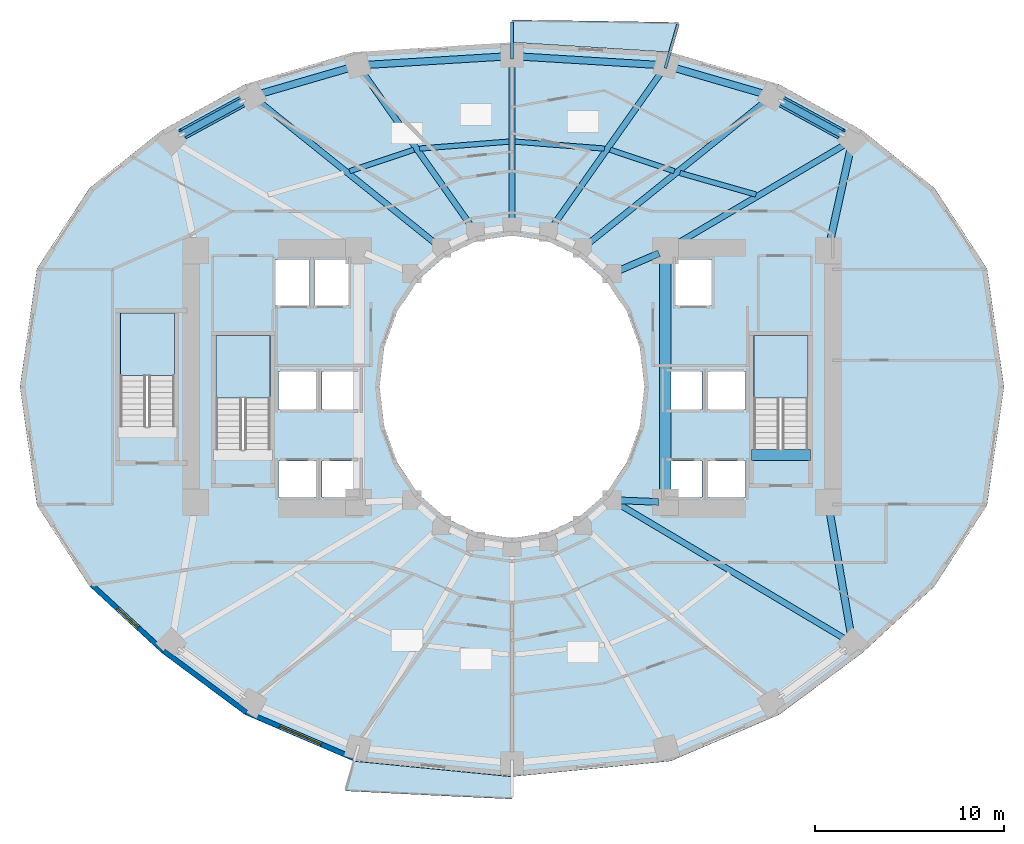
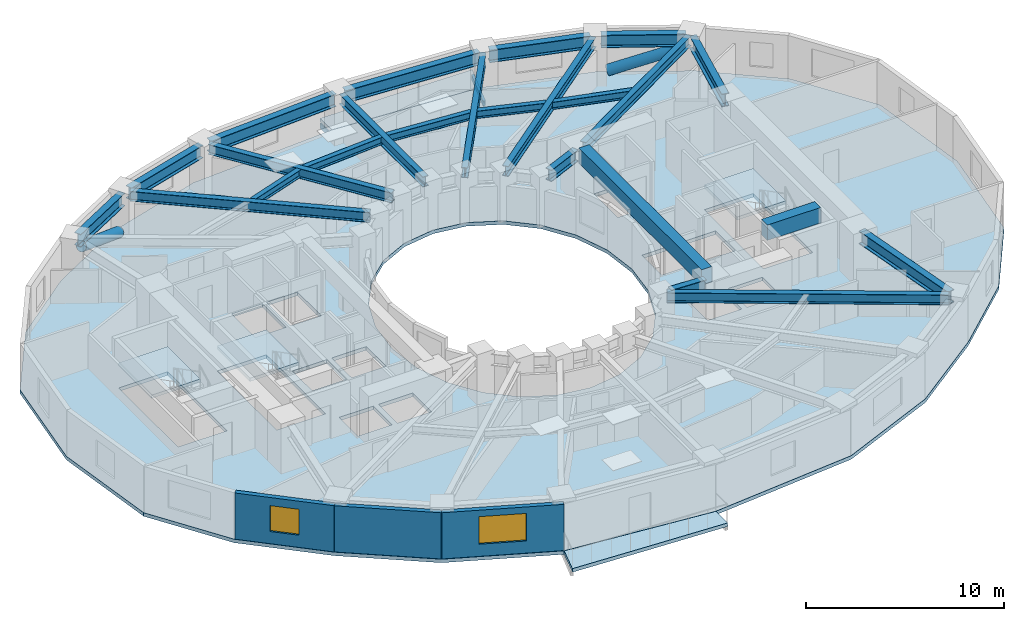
# One storey, part 2 of 10: 26 beams, 6 slabs, 3 walls, 2 members, 2 windows, 2 openings, 3 elements without a shape of their own.
"""IFC4 building model written with IfcOpenShell, lengths in metres."""

from ifc_helpers import new_model, si_unit, direction, frame, frame_2d, origin, origin_2d, place, context, subcontext, project, spatial, polyline, rectangle, hollow_rectangle, hollow_circle, i_section, outline, extrude, material, layer, layer_set, material_profile, profile_set, type_object, element, fill, aggregate, save


model = new_model("IFC4")

# Units and contexts
model_context = context("Model", 3, precision=1e-05, world=origin(), true_north=direction((0.0, 1.0)))
body_context = subcontext(model_context, "Body", "Model", "MODEL_VIEW")
ifc_project = project(units=[si_unit("LENGTHUNIT", "METRE"), si_unit("AREAUNIT", "SQUARE_METRE"), si_unit("VOLUMEUNIT", "CUBIC_METRE"), si_unit("PLANEANGLEUNIT", "RADIAN"), si_unit("MASSUNIT", "GRAM", prefix="KILO")], contexts=[model_context])

# Site, building, storey
site_placement = place(None, origin())
site = spatial("IfcSite", under=ifc_project, at=site_placement, CompositionType="ELEMENT")
building_placement = place(site_placement, origin())
building = spatial("IfcBuilding", under=site, at=building_placement, Name="Solvane Sanctuary Tower", CompositionType="ELEMENT")
storey_placement = place(building_placement, frame((0.0, 0.0, 58.60009765625)))
storey = spatial("IfcBuildingStorey", under=building, at=storey_placement, Name="L17", CompositionType="ELEMENT", Elevation=58.60009765625)

# Beams
ifc_material_1 = material(Name="Steel ASTM A500 Grade C", Category="steel")
ifc_material_profile_1 = material_profile(ifc_material_1, hollow_rectangle(XDim=0.14990234375, YDim=0.300048828125, WallThickness=0.010009765625, at=origin_2d()), Name="HSS300X150X10")
ifc_profile_set_1 = profile_set([ifc_material_profile_1], Name="Steel ASTM A500 Grade C")
beam_type_1 = type_object("IfcBeamType", Name="Beam B-BALC-BRK HSS300X150X10", PredefinedType="BEAM", material=ifc_profile_set_1)
beam_1_placement = place(storey_placement, frame((40.103515625, 39.84130859375, -0.3720703125), z_axis=(0.276710107222, 0.960953441412, 0.0), x_axis=(-0.960953441412, 0.276710107222, 0.0)))
element("IfcBeam", 1, at=beam_1_placement, inside=storey, type_object=beam_type_1, Name="L17 Balcony Bracket NC-1", PredefinedType="BEAM", context=body_context, shape_type="SweptSolid", body=[
    extrude(hollow_rectangle(XDim=0.14990234375, YDim=0.300048828125, WallThickness=0.010009765625, at=origin_2d()), origin(), (0.0, 0.0, 1.0), 2.414794921875),
])
beam_2_placement = place(storey_placement, frame((32.0, 40.330078125, -0.3720703125), z_axis=(0.0, 1.0, 0.0), x_axis=(-1.0, 0.0, 0.0)))
element("IfcBeam", 2, at=beam_2_placement, inside=storey, type_object=beam_type_1, Name="L17 Balcony Bracket NC-2", PredefinedType="BEAM", context=body_context, shape_type="SweptSolid", body=[
    extrude(hollow_rectangle(XDim=0.14990234375, YDim=0.300048828125, WallThickness=0.010009765625, at=origin_2d()), origin(), (0.0, 0.0, 1.0), 1.955322265625),
])
ifc_material_2 = material(Name="Concrete C70/85", Category="concrete")
ifc_material_profile_2 = material_profile(ifc_material_2, rectangle(XDim=0.60009765625, YDim=0.949951171875, at=origin_2d()), Name="RC600X950")
ifc_profile_set_2 = profile_set([ifc_material_profile_2], Name="Concrete C70/85")
beam_type_2 = type_object("IfcBeamType", Name="Beam B-COUPLE RC600X950", PredefinedType="LINTEL", material=ifc_profile_set_2)
beam_3_placement = place(storey_placement, frame((40.10009765625, 17.35009765625, 2.625), z_axis=(0.0, 1.0, 0.0), x_axis=(-1.0, 0.0, 0.0)))
element("IfcBeam", 3, at=beam_3_placement, inside=storey, type_object=beam_type_2, Name="L17 East Core Coupling Lintel", PredefinedType="LINTEL", context=body_context, shape_type="SweptSolid", body=[
    extrude(rectangle(XDim=0.60009765625, YDim=0.949951171875, at=origin_2d()), origin(), (0.0, 0.0, 1.0), 12.39990234375),
])
beam_4_placement = place(storey_placement, frame((44.64990234375, 19.399169921875, 2.625), z_axis=(1.0, 0.0, 0.0), x_axis=(0.0, 1.0, 0.0)))
element("IfcBeam", 4, at=beam_4_placement, inside=storey, type_object=beam_type_2, Name="L17 ST-2 Stair Floor Landing Trimmer", PredefinedType="LINTEL", context=body_context, shape_type="SweptSolid", body=[
    extrude(rectangle(XDim=0.60009765625, YDim=0.949951171875, at=origin_2d()), origin(), (0.0, 0.0, 1.0), 3.1201171875),
])
ifc_material_3 = material(Name="Steel ASTM A992 Grade 50", Category="steel")
ifc_material_profile_3 = material_profile(ifc_material_3, i_section(OverallWidth=0.323974609375, OverallDepth=0.611083984375, WebThickness=0.0126953125, FlangeThickness=0.01904296875, FilletRadius=0.01611328125, at=origin_2d()), Name="W24X104")
ifc_profile_set_3 = profile_set([ifc_material_profile_3], Name="Steel ASTM A992 Grade 50")
beam_type_3 = type_object("IfcBeamType", Name="Beam B-RAD-Z1 W24X104", PredefinedType="BEAM", material=ifc_profile_set_3)
beam_5_placement = place(storey_placement, frame((40.41015625, 30.3828125, 2.572509765625), z_axis=(0.861291129905, 0.508111788435, 0.0), x_axis=(-0.508111788435, 0.861291129905, 0.0)))
element("IfcBeam", 5, at=beam_5_placement, inside=storey, type_object=beam_type_3, Name="L17 Radial Composite Floor Beam 01", PredefinedType="BEAM", context=body_context, shape_type="SweptSolid", body=[
    extrude(i_section(OverallWidth=0.323974609375, OverallDepth=0.611083984375, WebThickness=0.0126953125, FlangeThickness=0.01904296875, FilletRadius=0.01611328125, at=origin_2d()), origin(), (0.0, 0.0, 1.0), 10.844482421875),
])
beam_6_placement = place(storey_placement, frame((35.9482421875, 30.501953125, 2.572509765625), z_axis=(0.779526985436, 0.626368644631, 0.0), x_axis=(-0.626368644631, 0.779526985436, 0.0)))
element("IfcBeam", 6, at=beam_6_placement, inside=storey, type_object=beam_type_3, Name="L17 Radial Composite Floor Beam 02", PredefinedType="BEAM", context=body_context, shape_type="SweptSolid", body=[
    extrude(i_section(OverallWidth=0.323974609375, OverallDepth=0.611083984375, WebThickness=0.0126953125, FlangeThickness=0.01904296875, FilletRadius=0.01611328125, at=origin_2d()), origin(), (0.0, 0.0, 1.0), 12.2646484375),
])
beam_7_placement = place(storey_placement, frame((34.092041015625, 31.400390625, 2.572509765625), z_axis=(0.576233115666, 0.817285382476, 0.0), x_axis=(-0.817285382476, 0.576233115666, 0.0)))
element("IfcBeam", 7, at=beam_7_placement, inside=storey, type_object=beam_type_3, Name="L17 Radial Composite Floor Beam 03", PredefinedType="BEAM", context=body_context, shape_type="SweptSolid", body=[
    extrude(i_section(OverallWidth=0.323974609375, OverallDepth=0.611083984375, WebThickness=0.0126953125, FlangeThickness=0.01904296875, FilletRadius=0.01611328125, at=origin_2d()), origin(), (0.0, 0.0, 1.0), 10.224365234375),
])
beam_8_placement = place(storey_placement, frame((32.0, 31.739990234375, 2.572509765625), z_axis=(0.0, 1.0, 0.0), x_axis=(-1.0, 0.0, 0.0)))
element("IfcBeam", 8, at=beam_8_placement, inside=storey, type_object=beam_type_3, Name="L17 Radial Composite Floor Beam 04", PredefinedType="BEAM", context=body_context, shape_type="SweptSolid", body=[
    extrude(i_section(OverallWidth=0.323974609375, OverallDepth=0.611083984375, WebThickness=0.0126953125, FlangeThickness=0.01904296875, FilletRadius=0.01611328125, at=origin_2d()), origin(), (0.0, 0.0, 1.0), 8.4599609375),
])
beam_9_placement = place(storey_placement, frame((29.907958984375, 31.400390625, 2.572509765625), z_axis=(-0.576233115666, 0.817285382476, 0.0), x_axis=(-0.817285382476, -0.576233115666, 0.0)))
element("IfcBeam", 9, at=beam_9_placement, inside=storey, type_object=beam_type_3, Name="L17 Radial Composite Floor Beam 05", PredefinedType="BEAM", context=body_context, shape_type="SweptSolid", body=[
    extrude(i_section(OverallWidth=0.323974609375, OverallDepth=0.611083984375, WebThickness=0.0126953125, FlangeThickness=0.01904296875, FilletRadius=0.01611328125, at=origin_2d()), origin(), (0.0, 0.0, 1.0), 10.224365234375),
])
beam_10_placement = place(storey_placement, frame((28.0517578125, 30.501953125, 2.572509765625), z_axis=(-0.779526985436, 0.626368644631, 0.0), x_axis=(-0.626368644631, -0.779526985436, 0.0)))
element("IfcBeam", 10, at=beam_10_placement, inside=storey, type_object=beam_type_3, Name="L17 Radial Composite Floor Beam 06", PredefinedType="BEAM", context=body_context, shape_type="SweptSolid", body=[
    extrude(i_section(OverallWidth=0.323974609375, OverallDepth=0.611083984375, WebThickness=0.0126953125, FlangeThickness=0.01904296875, FilletRadius=0.01611328125, at=origin_2d()), origin(), (0.0, 0.0, 1.0), 12.2646484375),
])
beam_11_placement = place(storey_placement, frame((37.515625, 16.874755859375, 2.572509765625), z_axis=(0.859229187027, -0.511590856214, 0.0), x_axis=(0.511590856214, 0.859229187027, 0.0)))
element("IfcBeam", 11, at=beam_11_placement, inside=storey, type_object=beam_type_3, Name="L17 Radial Composite Floor Beam 14", PredefinedType="BEAM", context=body_context, shape_type="SweptSolid", body=[
    extrude(i_section(OverallWidth=0.323974609375, OverallDepth=0.611083984375, WebThickness=0.0126953125, FlangeThickness=0.01904296875, FilletRadius=0.01611328125, at=origin_2d()), origin(), (0.0, 0.0, 1.0), 14.240234375),
])
ifc_material_profile_4 = material_profile(ifc_material_3, i_section(OverallWidth=0.35498046875, OverallDepth=0.695068359375, WebThickness=0.015380859375, FlangeThickness=0.02490234375, FilletRadius=0.01806640625, at=origin_2d()), Name="W27X146")
ifc_profile_set_4 = profile_set([ifc_material_profile_4], Name="Steel ASTM A992 Grade 50")
beam_type_4 = type_object("IfcBeamType", Name="Beam B-RING-IN1 W27X146", PredefinedType="BEAM", material=ifc_profile_set_4)
beam_12_placement = place(storey_placement, frame((37.70654296875, 29.168212890625, 2.530517578125), z_axis=(0.918277080365, 0.395938383687, 0.0), x_axis=(-0.395938383687, 0.918277080365, 0.0)))
element("IfcBeam", 12, at=beam_12_placement, inside=storey, type_object=beam_type_4, Name="L17 Inner Light-Well Ring Beam IC01-CE4", PredefinedType="BEAM", context=body_context, shape_type="SweptSolid", body=[
    extrude(i_section(OverallWidth=0.35498046875, OverallDepth=0.695068359375, WebThickness=0.015380859375, FlangeThickness=0.02490234375, FilletRadius=0.01806640625, at=origin_2d()), origin(), (0.0, 0.0, 1.0), 2.246337890625),
])
beam_13_placement = place(storey_placement, frame((37.74462890625, 16.998291015625, 2.530517578125), z_axis=(0.999130953379, -0.041681386726, 0.0), x_axis=(0.041681386726, 0.999130953379, 0.0)))
element("IfcBeam", 13, at=beam_13_placement, inside=storey, type_object=beam_type_4, Name="L17 Inner Light-Well Ring Beam IC14-CE1", PredefinedType="BEAM", context=body_context, shape_type="SweptSolid", body=[
    extrude(i_section(OverallWidth=0.35498046875, OverallDepth=0.695068359375, WebThickness=0.015380859375, FlangeThickness=0.02490234375, FilletRadius=0.01806640625, at=origin_2d()), origin(), (0.0, 0.0, 1.0), 1.997314453125),
])
ifc_material_profile_5 = material_profile(ifc_material_3, i_section(OverallWidth=0.280029296875, OverallDepth=0.462890625, WebThickness=0.0107421875, FlangeThickness=0.017333984375, FilletRadius=0.013916015625, at=origin_2d()), Name="W18X76")
ifc_profile_set_5 = profile_set([ifc_material_profile_5], Name="Steel ASTM A992 Grade 50")
beam_type_5 = type_object("IfcBeamType", Name="Beam B-SEC-JOIST W18X76", PredefinedType="JOIST", material=ifc_profile_set_5)
beam_14_placement = place(storey_placement, frame((23.42041015625, 34.392822265625, 2.646484375), z_axis=(0.948259393162, 0.317496650816, 0.0), x_axis=(-0.317496650816, 0.948259393162, 0.0)))
element("IfcBeam", 14, at=beam_14_placement, inside=storey, type_object=beam_type_5, Name="L17 Secondary Circumferential Joist 06-05", PredefinedType="JOIST", context=body_context, shape_type="SweptSolid", body=[
    extrude(i_section(OverallWidth=0.280029296875, OverallDepth=0.462890625, WebThickness=0.0107421875, FlangeThickness=0.017333984375, FilletRadius=0.013916015625, at=origin_2d()), origin(), (0.0, 0.0, 1.0), 3.577880859375),
])
for number, where, z_axis, x_axis, name in (
    (15, (27.11865234375, 35.5908203125, 2.646484375), (0.996997851194, 0.077429223911, 0.0), (-0.077429223911, 0.996997851194, 0.0), "L17 Secondary Circumferential Joist 05-04"),
    (16, (32.156494140625, 35.957763671875, 2.646484375), (0.996997851194, -0.077429223911, 0.0), (0.077429223911, 0.996997851194, 0.0), "L17 Secondary Circumferential Joist 04-03"),
):
    element("IfcBeam", number, at=place(storey_placement, frame(where, z_axis=z_axis, x_axis=x_axis)), inside=storey, type_object=beam_type_5, Name=name, PredefinedType="JOIST", context=body_context, shape_type="SweptSolid", body=[
        extrude(i_section(OverallWidth=0.280029296875, OverallDepth=0.462890625, WebThickness=0.0107421875, FlangeThickness=0.017333984375, FilletRadius=0.013916015625, at=origin_2d()), origin(), (0.0, 0.0, 1.0), 4.739013671875),
    ])
beam_15_placement = place(storey_placement, frame((37.186767578125, 35.52880859375, 2.646484375), z_axis=(0.948259393162, -0.317496650816, 0.0), x_axis=(0.317496650816, 0.948259393162, 0.0)))
element("IfcBeam", 17, at=beam_15_placement, inside=storey, type_object=beam_type_5, Name="L17 Secondary Circumferential Joist 03-02", PredefinedType="JOIST", context=body_context, shape_type="SweptSolid", body=[
    extrude(i_section(OverallWidth=0.280029296875, OverallDepth=0.462890625, WebThickness=0.0107421875, FlangeThickness=0.017333984375, FilletRadius=0.013916015625, at=origin_2d()), origin(), (0.0, 0.0, 1.0), 3.577880859375),
])
beam_16_placement = place(storey_placement, frame((40.879638671875, 34.300048828125, 2.646484375), z_axis=(0.962003645121, -0.273036603358, 0.0), x_axis=(0.273036603358, 0.962003645121, 0.0)))
element("IfcBeam", 18, at=beam_16_placement, inside=storey, type_object=beam_type_5, Name="L17 Secondary Circumferential Joist 02-01", PredefinedType="JOIST", context=body_context, shape_type="SweptSolid", body=[
    extrude(i_section(OverallWidth=0.280029296875, OverallDepth=0.462890625, WebThickness=0.0107421875, FlangeThickness=0.017333984375, FilletRadius=0.013916015625, at=origin_2d()), origin(), (0.0, 0.0, 1.0), 4.174072265625),
])
ifc_material_profile_6 = material_profile(ifc_material_3, i_section(OverallWidth=0.382080078125, OverallDepth=0.779052734375, WebThickness=0.01806640625, FlangeThickness=0.030029296875, FilletRadius=0.02001953125, at=origin_2d()), Name="W30X191")
ifc_profile_set_6 = profile_set([ifc_material_profile_6], Name="Steel ASTM A992 Grade 50")
beam_type_6 = type_object("IfcBeamType", Name="Beam B-SPAND-Z1 W30X191", PredefinedType="SPANDREL", material=ifc_profile_set_6)
beam_17_placement = place(storey_placement, frame((14.254150390625, 36.169189453125, 2.48828125), z_axis=(0.878060556078, 0.478549537519, 0.0), x_axis=(-0.478549537519, 0.878060556078, 0.0)))
element("IfcBeam", 19, at=beam_17_placement, inside=storey, type_object=beam_type_6, Name="L17 Perimeter Spandrel Beam TC07-TC06", PredefinedType="SPANDREL", context=body_context, shape_type="SweptSolid", body=[
    extrude(i_section(OverallWidth=0.382080078125, OverallDepth=0.779052734375, WebThickness=0.01806640625, FlangeThickness=0.030029296875, FilletRadius=0.02001953125, at=origin_2d()), origin(), (0.0, 0.0, 1.0), 4.296630859375),
])
beam_18_placement = place(storey_placement, frame((18.54150390625, 38.437744140625, 2.48828125), z_axis=(0.960096217722, 0.279669899553, 0.0), x_axis=(-0.279669899553, 0.960096217722, 0.0)))
element("IfcBeam", 20, at=beam_18_placement, inside=storey, type_object=beam_type_6, Name="L17 Perimeter Spandrel Beam TC06-TC05", PredefinedType="SPANDREL", context=body_context, shape_type="SweptSolid", body=[
    extrude(i_section(OverallWidth=0.382080078125, OverallDepth=0.779052734375, WebThickness=0.01806640625, FlangeThickness=0.030029296875, FilletRadius=0.02001953125, at=origin_2d()), origin(), (0.0, 0.0, 1.0), 5.25439453125),
])
for number, where, z_axis, x_axis, name in (
    (21, (24.134521484375, 40.00244140625, 2.48828125), (0.998162966989, 0.060586230553, 0.0), (-0.060586230553, 0.998162966989, 0.0), "L17 Perimeter Spandrel Beam TC05-TC04"),
    (22, (32.279541015625, 40.462890625, 2.48828125), (0.998162966989, -0.060586230553, 0.0), (0.060586230553, 0.998162966989, 0.0), "L17 Perimeter Spandrel Beam TC04-TC03"),
):
    element("IfcBeam", number, at=place(storey_placement, frame(where, z_axis=z_axis, x_axis=x_axis)), inside=storey, type_object=beam_type_6, Name=name, PredefinedType="SPANDREL", context=body_context, shape_type="SweptSolid", body=[
        extrude(i_section(OverallWidth=0.382080078125, OverallDepth=0.779052734375, WebThickness=0.01806640625, FlangeThickness=0.030029296875, FilletRadius=0.02001953125, at=origin_2d()), origin(), (0.0, 0.0, 1.0), 7.599853515625),
    ])
beam_19_placement = place(storey_placement, frame((40.413818359375, 39.9072265625, 2.48828125), z_axis=(0.960096217722, -0.279669899553, 0.0), x_axis=(0.279669899553, 0.960096217722, 0.0)))
element("IfcBeam", 23, at=beam_19_placement, inside=storey, type_object=beam_type_6, Name="L17 Perimeter Spandrel Beam TC03-TC02", PredefinedType="SPANDREL", context=body_context, shape_type="SweptSolid", body=[
    extrude(i_section(OverallWidth=0.382080078125, OverallDepth=0.779052734375, WebThickness=0.01806640625, FlangeThickness=0.030029296875, FilletRadius=0.02001953125, at=origin_2d()), origin(), (0.0, 0.0, 1.0), 5.25439453125),
])
beam_20_placement = place(storey_placement, frame((45.97314453125, 38.225341796875, 2.48828125), z_axis=(0.878060556078, -0.478549537519, 0.0), x_axis=(0.478549537519, 0.878060556078, 0.0)))
element("IfcBeam", 24, at=beam_20_placement, inside=storey, type_object=beam_type_6, Name="L17 Perimeter Spandrel Beam TC02-TC01", PredefinedType="SPANDREL", context=body_context, shape_type="SweptSolid", body=[
    extrude(i_section(OverallWidth=0.382080078125, OverallDepth=0.779052734375, WebThickness=0.01806640625, FlangeThickness=0.030029296875, FilletRadius=0.02001953125, at=origin_2d()), origin(), (0.0, 0.0, 1.0), 4.296630859375),
])
beam_21_placement = place(storey_placement, frame((49.93115234375, 35.761962890625, 2.48828125), z_axis=(-0.216123846648, -0.976365957472, 0.0), x_axis=(0.976365957472, -0.216123846648, 0.0)))
element("IfcBeam", 25, at=beam_21_placement, inside=storey, type_object=beam_type_6, Name="L17 Perimeter Spandrel Beam TC01-CE3", PredefinedType="SPANDREL", context=body_context, shape_type="SweptSolid", body=[
    extrude(i_section(OverallWidth=0.382080078125, OverallDepth=0.779052734375, WebThickness=0.01806640625, FlangeThickness=0.030029296875, FilletRadius=0.02001953125, at=origin_2d()), origin(), (0.0, 0.0, 1.0), 5.41650390625),
])
beam_22_placement = place(storey_placement, frame((49.94384765625, 9.722412109375, 2.48828125), z_axis=(-0.170754238709, 0.985313650551, 0.0), x_axis=(-0.985313650551, -0.170754238709, 0.0)))
element("IfcBeam", 26, at=beam_22_placement, inside=storey, type_object=beam_type_6, Name="L17 Perimeter Spandrel Beam TC14-CE2", PredefinedType="SPANDREL", context=body_context, shape_type="SweptSolid", body=[
    extrude(i_section(OverallWidth=0.382080078125, OverallDepth=0.779052734375, WebThickness=0.01806640625, FlangeThickness=0.030029296875, FilletRadius=0.02001953125, at=origin_2d()), origin(), (0.0, 0.0, 1.0), 7.00439453125),
])

# Members
ifc_material_profile_7 = material_profile(ifc_material_3, hollow_circle(Radius=0.304931640625, WallThickness=0.01611328125, at=origin_2d()), Name="CHS610X16")
ifc_profile_set_7 = profile_set([ifc_material_profile_7], Name="Steel ASTM A992 Grade 50")
member_type = type_object("IfcMemberType", Name="Member M-TUBE-Z1 CHS610X16", PredefinedType="BRACE", material=ifc_profile_set_7)
for number, where, z_axis, x_axis, name in (
    (27, (46.262451171875, 38.067626953125, 0.595703125), (0.827739985201, -0.451112238875, 0.333682880648), (0.478539548862, 0.878065999897, 0.0), "L17 Perimeter Braced-Tube Diagonal NE"),
    (28, (17.737548828125, 38.067626953125, 0.595703125), (-0.827739985201, -0.451112238875, 0.333682880648), (0.478539548862, -0.878065999897, 0.0), "L17 Perimeter Braced-Tube Diagonal NW"),
):
    element("IfcMember", number, at=place(storey_placement, frame(where, z_axis=z_axis, x_axis=x_axis)), inside=storey, type_object=member_type, Name=name, PredefinedType="BRACE", context=body_context, shape_type="SweptSolid", body=[
        extrude(hollow_circle(Radius=0.304931640625, WallThickness=0.01611328125, at=origin_2d()), origin(), (0.0, 0.0, 1.0), 3.831787109375),
    ])

# Slabs
ifc_material_4 = material(Name="Precast concrete C40/50", Category="concrete")
ifc_layer_1 = layer(ifc_material_4, 0.219970703125, Name="Precast concrete C40/50")
ifc_layer_set_1 = layer_set([ifc_layer_1], Name="Precast concrete C40/50")
slab_type_1 = type_object("IfcSlabType", Name="Slab SL-BALC-200", PredefinedType="FLOOR", material=ifc_layer_set_1)
slab_1_placement = place(storey_placement, frame((0.0, 0.0, -0.22021484375)))
element("IfcSlab", 29, at=slab_1_placement, inside=storey, type_object=slab_type_1, Name="L17 Wave Balcony Slab NC", PredefinedType="FLOOR", context=body_context, shape_type="SweptSolid", body=[
    extrude(outline(polyline([(40.799560546875, 42.258056640625), (36.37158203125, 42.331298828125), (32.0, 42.385498046875), (32.000244140625, 41.2041015625), (40.376953125, 40.6845703125), (40.799560546875, 42.258056640625)])), origin(), (0.0, 0.0, 1.0), 0.22021484375),
])
slab_2_placement = place(storey_placement, frame((0.0, 0.0, -0.22021484375)))
element("IfcSlab", 30, at=slab_2_placement, inside=storey, type_object=slab_type_1, Name="L17 Wave Balcony Slab SC", PredefinedType="FLOOR", context=body_context, shape_type="SweptSolid", body=[
    extrude(outline(polyline([(23.200439453125, 1.643798828125), (27.62841796875, 1.419677734375), (32.0, 1.214599609375), (31.99951171875, 2.39599609375), (23.622802734375, 3.217041015625), (23.200439453125, 1.643798828125)])), origin(), (0.0, 0.0, 1.0), 0.22021484375),
])

# Stair, slab
ifc_material_5 = material(Name="Concrete C45/55", Category="concrete")
stair_type = type_object("IfcStairType", Name="Stair ST-TOW", PredefinedType="HALF_TURN_STAIR", material=ifc_material_5)
stair_1_placement = place(storey_placement, origin())
stair_1 = element("IfcStair", 31, at=stair_1_placement, inside=storey, type_object=stair_type, Name="L17 Exit Stair ST-1 West Core", PredefinedType="HALF_TURN_STAIR")
ifc_layer_2 = layer(ifc_material_5, 0.199951171875, Name="Concrete C45/55")
ifc_layer_set_2 = layer_set([ifc_layer_2], Name="Concrete C45/55")
slab_type_2 = type_object("IfcSlabType", Name="Slab SL-LAND-180", PredefinedType="LANDING", material=ifc_layer_set_2)
slab_3_placement = place(storey_placement, frame((0.0, 0.0, 1.349853515625)))
slab_3 = element("IfcSlab", 32, at=slab_3_placement, type_object=slab_type_2, Name="ST-1 landing 1", PredefinedType="LANDING", context=body_context, shape_type="SweptSolid", body=[
    extrude(outline(polyline([(19.219970703125, 22.39990234375), (19.219970703125, 25.699951171875), (16.360107421875, 25.699951171875), (16.360107421875, 22.39990234375), (19.219970703125, 22.39990234375)])), origin(), (0.0, 0.0, 1.0), 0.199951171875),
])
aggregate(stair_1, [slab_3])

stair_2_placement = place(storey_placement, origin())
stair_2 = element("IfcStair", 33, at=stair_2_placement, inside=storey, type_object=stair_type, Name="L17 Exit Stair ST-2 East Core", PredefinedType="HALF_TURN_STAIR")
slab_4_placement = place(storey_placement, frame((0.0, 0.0, 1.349853515625)))
slab_4 = element("IfcSlab", 34, at=slab_4_placement, type_object=slab_type_2, Name="ST-2 landing 1", PredefinedType="LANDING", context=body_context, shape_type="SweptSolid", body=[
    extrude(outline(polyline([(47.639892578125, 22.39990234375), (47.639892578125, 25.699951171875), (44.780029296875, 25.699951171875), (44.780029296875, 22.39990234375), (47.639892578125, 22.39990234375)])), origin(), (0.0, 0.0, 1.0), 0.199951171875),
])
aggregate(stair_2, [slab_4])

stair_3_placement = place(storey_placement, origin())
stair_3 = element("IfcStair", 35, at=stair_3_placement, inside=storey, type_object=stair_type, Name="L17 Exit Stair ST-3 Pilgrim Tower Stair", PredefinedType="HALF_TURN_STAIR")
slab_5_placement = place(storey_placement, frame((0.0, 0.0, 1.349853515625)))
slab_5 = element("IfcSlab", 36, at=slab_5_placement, type_object=slab_type_2, Name="ST-3 landing 1", PredefinedType="LANDING", context=body_context, shape_type="SweptSolid", body=[
    extrude(outline(polyline([(14.159912109375, 23.60009765625), (14.159912109375, 26.89990234375), (11.300048828125, 26.89990234375), (11.300048828125, 23.60009765625), (14.159912109375, 23.60009765625)])), origin(), (0.0, 0.0, 1.0), 0.199951171875),
])
aggregate(stair_3, [slab_5])

# Slab
ifc_layer_3 = layer(ifc_material_5, 0.219970703125, Name="Concrete C45/55")
ifc_layer_set_3 = layer_set([ifc_layer_3], Name="Concrete C45/55")
slab_type_3 = type_object("IfcSlabType", Name="Slab SL-TOW-220", PredefinedType="FLOOR", material=ifc_layer_set_3)
slab_6_placement = place(storey_placement, frame((0.0, 0.0, -0.22021484375)))
element("IfcSlab", 37, at=slab_6_placement, inside=storey, type_object=slab_type_3, Name="L17 Primary Structural Slab", PredefinedType="FLOOR", context=body_context, shape_type="SweptSolid", body=[
    extrude(outline(polyline([(58.0, 23.0), (57.101806640625, 29.25048828125), (54.31396484375, 33.516845703125), (50.504150390625, 36.547607421875), (46.1181640625, 38.977294921875), (40.376708984375, 40.6806640625), (32.0, 41.199951171875), (23.623291015625, 40.6806640625), (17.8818359375, 38.977294921875), (13.495849609375, 36.547607421875), (9.68603515625, 33.516845703125), (6.898193359375, 29.25048828125), (6.0, 23.0), (6.898193359375, 16.74951171875), (9.68603515625, 12.4482421875), (13.495849609375, 8.933837890625), (17.8818359375, 5.677978515625), (23.623291015625, 3.22119140625), (32.0, 2.39990234375), (40.376708984375, 3.22119140625), (46.1181640625, 5.677978515625), (50.504150390625, 8.933837890625), (54.31396484375, 12.4482421875), (57.101806640625, 16.74951171875), (58.0, 23.0)]), holes=[polyline([(38.761474609375, 20.929443359375), (38.062255859375, 19.0), (36.94970703125, 17.343017578125), (35.5, 16.07177734375), (33.811767578125, 15.272705078125), (32.0, 15.0), (30.188232421875, 15.272705078125), (28.5, 16.07177734375), (27.05029296875, 17.343017578125), (25.937744140625, 19.0), (25.238525390625, 20.929443359375), (25.0, 23.0), (25.238525390625, 25.070556640625), (25.937744140625, 27.0), (27.05029296875, 28.656982421875), (28.5, 29.92822265625), (30.188232421875, 30.727294921875), (32.0, 31.0), (33.811767578125, 30.727294921875), (35.5, 29.92822265625), (36.94970703125, 28.656982421875), (38.062255859375, 27.0), (38.761474609375, 25.070556640625), (39.0, 23.0), (38.761474609375, 20.929443359375)]), polyline([(16.360107421875, 19.699951171875), (16.360107421875, 25.699951171875), (19.219970703125, 25.699951171875), (19.219970703125, 19.699951171875), (16.360107421875, 19.699951171875)]), polyline([(44.780029296875, 19.699951171875), (44.780029296875, 25.699951171875), (47.639892578125, 25.699951171875), (47.639892578125, 19.699951171875), (44.780029296875, 19.699951171875)]), polyline([(11.300048828125, 20.89990234375), (11.300048828125, 26.89990234375), (14.159912109375, 26.89990234375), (14.159912109375, 20.89990234375), (11.300048828125, 20.89990234375)]), polyline([(19.64990234375, 19.080078125), (21.64990234375, 19.080078125), (21.64990234375, 17.179931640625), (19.64990234375, 17.179931640625), (19.64990234375, 19.080078125)]), polyline([(21.949951171875, 19.080078125), (23.949951171875, 19.080078125), (23.949951171875, 17.179931640625), (21.949951171875, 17.179931640625), (21.949951171875, 19.080078125)]), polyline([(40.050048828125, 19.080078125), (42.050048828125, 19.080078125), (42.050048828125, 17.179931640625), (40.050048828125, 17.179931640625), (40.050048828125, 19.080078125)]), polyline([(42.35009765625, 19.080078125), (44.35009765625, 19.080078125), (44.35009765625, 17.179931640625), (42.35009765625, 17.179931640625), (42.35009765625, 19.080078125)]), polyline([(19.64990234375, 23.800048828125), (21.64990234375, 23.800048828125), (21.64990234375, 21.800048828125), (19.64990234375, 21.800048828125), (19.64990234375, 23.800048828125)]), polyline([(42.35009765625, 23.800048828125), (44.35009765625, 23.800048828125), (44.35009765625, 21.800048828125), (42.35009765625, 21.800048828125), (42.35009765625, 23.800048828125)]), polyline([(21.949951171875, 23.800048828125), (23.949951171875, 23.800048828125), (23.949951171875, 21.800048828125), (21.949951171875, 21.800048828125), (21.949951171875, 23.800048828125)]), polyline([(40.050048828125, 23.800048828125), (42.050048828125, 23.800048828125), (42.050048828125, 21.800048828125), (40.050048828125, 21.800048828125), (40.050048828125, 23.800048828125)]), polyline([(19.5, 29.699951171875), (21.300048828125, 29.699951171875), (21.300048828125, 27.300048828125), (19.5, 27.300048828125), (19.5, 29.699951171875)]), polyline([(21.550048828125, 29.699951171875), (23.35009765625, 29.699951171875), (23.35009765625, 27.300048828125), (21.550048828125, 27.300048828125), (21.550048828125, 29.699951171875)]), polyline([(40.64990234375, 29.699951171875), (42.550048828125, 29.699951171875), (42.550048828125, 27.300048828125), (40.64990234375, 27.300048828125), (40.64990234375, 29.699951171875)])]), origin(), (0.0, 0.0, 1.0), 0.22021484375),
])

# Wall, opening, window
ifc_layer_4 = layer(ifc_material_4, 0.260009765625, Name="Precast concrete C40/50")
ifc_layer_set_4 = layer_set([ifc_layer_4], Name="Precast concrete C40/50")
wall_type = type_object("IfcWallType", Name="Wall W-EXT-250", PredefinedType="STANDARD", material=ifc_layer_set_4)
wall_1_placement = place(storey_placement, frame((9.80615234375, 12.5244140625, 0.0), z_axis=(0.0, 0.0, 1.0), x_axis=(0.735655109293, -0.67735630223, 0.0)))
wall_1 = element("IfcWall", 38, at=wall_1_placement, inside=storey, type_object=wall_type, Name="L17 Ceramic-Printed Facade Wall 14", PredefinedType="STANDARD", context=body_context, shape_type="SweptSolid", body=[
    extrude(rectangle(XDim=5.15087890625, YDim=0.260009765625, at=frame_2d((2.575439453125, 0.0))), origin(), (0.0, 0.0, 1.0), 2.849853515625),
])
opening_1_placement = place(wall_1_placement, frame((1.825439453125, 0.0, 0.75)))
opening_1 = element("IfcOpeningElement", 39, at=opening_1_placement, cuts=wall_1, Name="Opening WN-OPER-1500", PredefinedType="OPENING", context=body_context, shape_type="SweptSolid", body=[
    extrude(rectangle(XDim=1.5, YDim=1.60009765625, at=frame_2d((0.75, 0.800048828125))), frame((0.0, 0.139892578125, 0.0), z_axis=(0.0, -1.0, 0.0), x_axis=(1.0, 0.0, 0.0)), (0.0, 0.0, 1.0), 0.280029296875),
])
ifc_material_6 = material(Name="Dark Ceramic-Fritted Low-E Glass", Category="glass")
window_type_1 = type_object("IfcWindowType", Name="Window WN-OPER-1500", PartitioningType="SINGLE_PANEL", PredefinedType="WINDOW", material=ifc_material_6)
window_1_placement = place(opening_1_placement, origin())
window_1 = element("IfcWindow", 40, at=window_1_placement, inside=storey, type_object=window_type_1, Name="L17 Operable Facade Window 14", OverallHeight=1.60009765625, OverallWidth=1.5, PartitioningType="SINGLE_PANEL", PredefinedType="WINDOW", context=body_context, shape_type="SweptSolid", body=[
    extrude(rectangle(XDim=1.5, YDim=1.60009765625, at=frame_2d((0.75, 0.800048828125))), frame((0.0, 0.030029296875, 0.0), z_axis=(0.0, -1.0, 0.0), x_axis=(1.0, 0.0, 0.0)), (0.0, 0.0, 1.0), 0.06005859375),
])
fill(opening_1, window_1)

# Wall
wall_2_placement = place(storey_placement, frame((13.595458984375, 9.035400390625, 0.0), z_axis=(0.0, 0.0, 1.0), x_axis=(0.803477531792, -0.595335078679, 0.0)))
element("IfcWall", 41, at=wall_2_placement, inside=storey, type_object=wall_type, Name="L17 Ceramic-Printed Facade Wall 15", PredefinedType="STANDARD", context=body_context, shape_type="SweptSolid", body=[
    extrude(rectangle(XDim=5.4296875, YDim=0.260009765625, at=frame_2d((2.71484375, 0.0))), origin(), (0.0, 0.0, 1.0), 2.849853515625),
])

# Wall, opening, window
wall_3_placement = place(storey_placement, frame((17.9580078125, 5.802978515625, 0.0), z_axis=(0.0, 0.0, 1.0), x_axis=(0.919612132394, -0.39282760335, 0.0)))
wall_3 = element("IfcWall", 42, at=wall_3_placement, inside=storey, type_object=wall_type, Name="L17 Ceramic-Printed Facade Wall 16", PredefinedType="STANDARD", context=body_context, shape_type="SweptSolid", body=[
    extrude(rectangle(XDim=6.20947265625, YDim=0.260009765625, at=frame_2d((3.104736328125, 0.0))), origin(), (0.0, 0.0, 1.0), 2.849853515625),
])
opening_2_placement = place(wall_3_placement, frame((1.90478515625, 0.0, 0.75)))
opening_2 = element("IfcOpeningElement", 43, at=opening_2_placement, cuts=wall_3, Name="Opening WN-RIB-2400", PredefinedType="OPENING", context=body_context, shape_type="SweptSolid", body=[
    extrude(rectangle(XDim=2.39990234375, YDim=1.699951171875, at=frame_2d((1.199951171875, 0.85009765625))), frame((0.0, 0.139892578125, 0.0), z_axis=(0.0, -1.0, 0.0), x_axis=(1.0, 0.0, 0.0)), (0.0, 0.0, 1.0), 0.280029296875),
])
window_type_2 = type_object("IfcWindowType", Name="Window WN-RIB-2400", PartitioningType="SINGLE_PANEL", PredefinedType="WINDOW", material=ifc_material_6)
window_2_placement = place(opening_2_placement, origin())
window_2 = element("IfcWindow", 44, at=window_2_placement, inside=storey, type_object=window_type_2, Name="L17 Operable Facade Window 16", OverallHeight=1.699951171875, OverallWidth=2.39990234375, PartitioningType="SINGLE_PANEL", PredefinedType="WINDOW", context=body_context, shape_type="SweptSolid", body=[
    extrude(rectangle(XDim=2.39990234375, YDim=1.699951171875, at=frame_2d((1.199951171875, 0.85009765625))), frame((0.0, 0.030029296875, 0.0), z_axis=(0.0, -1.0, 0.0), x_axis=(1.0, 0.0, 0.0)), (0.0, 0.0, 1.0), 0.06005859375),
])
fill(opening_2, window_2)

save(model, "model.ifc")
